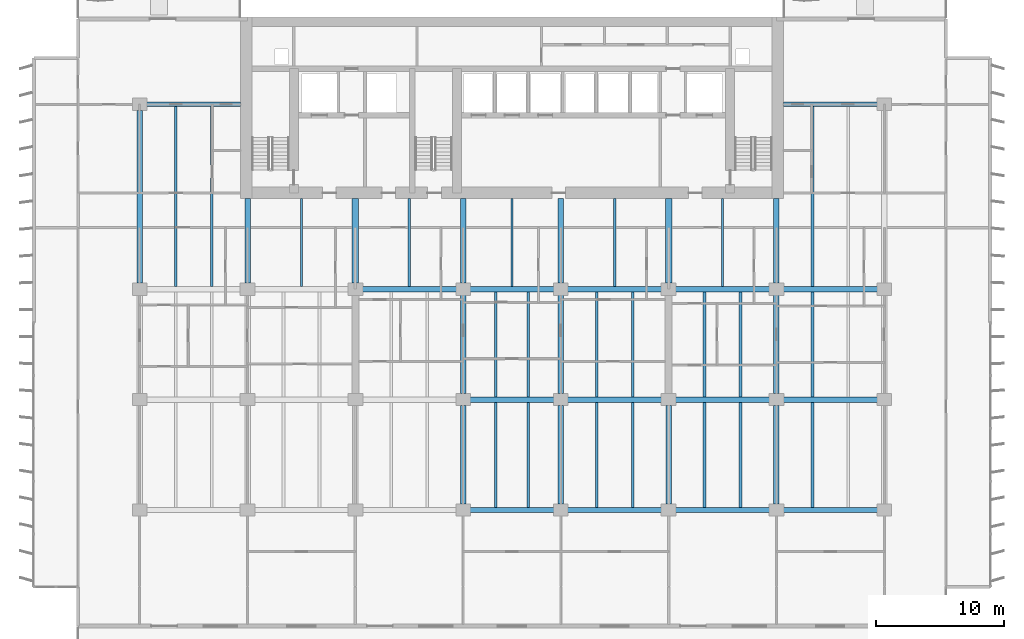
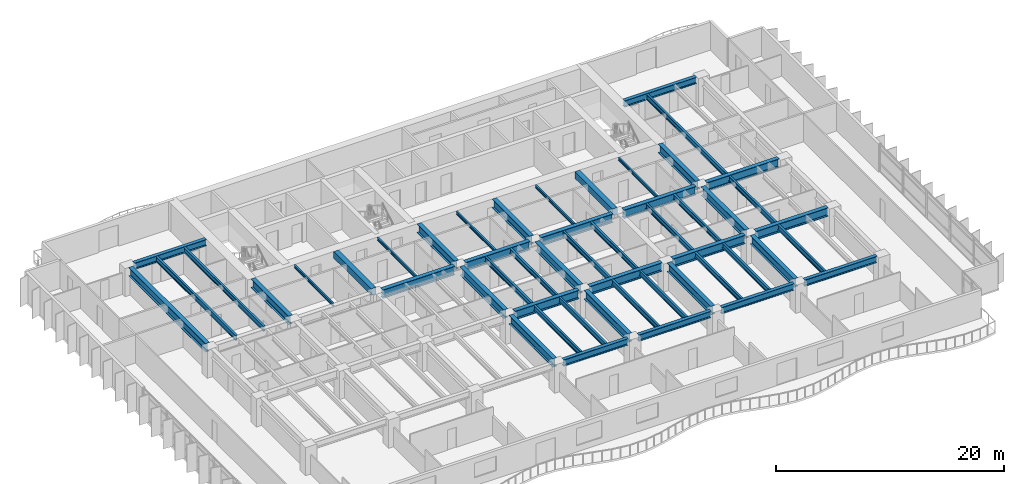
# One storey, part 3 of 15: 51 beams.
"""IFC4 building model written with IfcOpenShell, lengths in metres."""

from ifc_helpers import new_model, si_unit, direction, frame, origin, origin_2d, place, context, subcontext, project, spatial, rectangle, i_section, extrude, material, material_profile, profile_set, type_object, element, save


model = new_model("IFC4")

# Units and contexts
model_context = context("Model", 3, precision=1e-05, world=origin(), true_north=direction((0.0, 1.0)))
body_context = subcontext(model_context, "Body", "Model", "MODEL_VIEW")
ifc_project = project(units=[si_unit("LENGTHUNIT", "METRE"), si_unit("AREAUNIT", "SQUARE_METRE"), si_unit("VOLUMEUNIT", "CUBIC_METRE"), si_unit("PLANEANGLEUNIT", "RADIAN"), si_unit("MASSUNIT", "GRAM", prefix="KILO")], contexts=[model_context])

# Site, building, storey
site_placement = place(None, origin())
site = spatial("IfcSite", under=ifc_project, at=site_placement, CompositionType="ELEMENT")
building_placement = place(site_placement, origin())
building = spatial("IfcBuilding", under=site, at=building_placement, Name="Caelmar Bay Residences", CompositionType="ELEMENT")
storey_placement = place(building_placement, frame((0.0, 0.0, 76.199951171875)))
storey = spatial("IfcBuildingStorey", under=building, at=storey_placement, Name="L20", CompositionType="ELEMENT", Elevation=76.199951171875)

# Beams
ifc_material_1 = material(Name="Steel ASTM A992 Grade 50", Category="steel")
ifc_material_profile_1 = material_profile(ifc_material_1, i_section(OverallWidth=0.422119140625, OverallDepth=0.925048828125, WebThickness=0.021240234375, FlangeThickness=0.03662109375, FilletRadius=0.020263671875, at=origin_2d()), Name="W36X262")
ifc_profile_set_1 = profile_set([ifc_material_profile_1], Name="Steel ASTM A992 Grade 50")
beam_type_1 = type_object("IfcBeamType", Name="BM-GRD-W36X262", PredefinedType="BEAM", material=ifc_profile_set_1)
beam_1_placement = place(storey_placement, frame((35.639892578125, 20.800048828125, 2.53759765625), z_axis=(1.0, 0.0, 0.0), x_axis=(0.0, 1.0, 0.0)))
element("IfcBeam", 1, at=beam_1_placement, inside=storey, type_object=beam_type_1, Name="L20 East-West Girder Y=20.80 (35.1-42.7)", PredefinedType="BEAM", context=body_context, shape_type="SweptSolid", body=[
    extrude(i_section(OverallWidth=0.422119140625, OverallDepth=0.925048828125, WebThickness=0.021240234375, FlangeThickness=0.03662109375, FilletRadius=0.020263671875, at=origin_2d()), origin(), (0.0, 0.0, 1.0), 6.52001953125),
])
for number, where, z_axis, x_axis, name in (
    (2, (43.239990234375, 20.800048828125, 2.53759765625), (1.0, 0.0, 0.0), (0.0, 1.0, 0.0), "L20 East-West Girder Y=20.80 (42.7-51.1)"),
    (3, (51.639892578125, 20.800048828125, 2.53759765625), (1.0, 0.0, 0.0), (0.0, 1.0, 0.0), "L20 East-West Girder Y=20.80 (51.1-59.5)"),
    (4, (60.0400390625, 20.800048828125, 2.53759765625), (1.0, 0.0, 0.0), (0.0, 1.0, 0.0), "L20 East-West Girder Y=20.80 (59.5-67.9)"),
    (5, (27.239990234375, 29.39990234375, 2.53759765625), (1.0, 0.0, 0.0), (0.0, 1.0, 0.0), "L20 East-West Girder Y=29.40 (26.7-35.1)"),
):
    element("IfcBeam", number, at=place(storey_placement, frame(where, z_axis=z_axis, x_axis=x_axis)), inside=storey, type_object=beam_type_1, Name=name, PredefinedType="BEAM", context=body_context, shape_type="SweptSolid", body=[
        extrude(i_section(OverallWidth=0.422119140625, OverallDepth=0.925048828125, WebThickness=0.021240234375, FlangeThickness=0.03662109375, FilletRadius=0.020263671875, at=origin_2d()), origin(), (0.0, 0.0, 1.0), 7.320068359375),
    ])
beam_2_placement = place(storey_placement, frame((35.639892578125, 29.39990234375, 2.53759765625), z_axis=(1.0, 0.0, 0.0), x_axis=(0.0, 1.0, 0.0)))
element("IfcBeam", 6, at=beam_2_placement, inside=storey, type_object=beam_type_1, Name="L20 East-West Girder Y=29.40 (35.1-42.7)", PredefinedType="BEAM", context=body_context, shape_type="SweptSolid", body=[
    extrude(i_section(OverallWidth=0.422119140625, OverallDepth=0.925048828125, WebThickness=0.021240234375, FlangeThickness=0.03662109375, FilletRadius=0.020263671875, at=origin_2d()), origin(), (0.0, 0.0, 1.0), 6.52001953125),
])
for number, where, z_axis, x_axis, name in (
    (7, (43.239990234375, 29.39990234375, 2.53759765625), (1.0, 0.0, 0.0), (0.0, 1.0, 0.0), "L20 East-West Girder Y=29.40 (42.7-51.1)"),
    (8, (51.639892578125, 29.39990234375, 2.53759765625), (1.0, 0.0, 0.0), (0.0, 1.0, 0.0), "L20 East-West Girder Y=29.40 (51.1-59.5)"),
    (9, (60.0400390625, 29.39990234375, 2.53759765625), (1.0, 0.0, 0.0), (0.0, 1.0, 0.0), "L20 East-West Girder Y=29.40 (59.5-67.9)"),
):
    element("IfcBeam", number, at=place(storey_placement, frame(where, z_axis=z_axis, x_axis=x_axis)), inside=storey, type_object=beam_type_1, Name=name, PredefinedType="BEAM", context=body_context, shape_type="SweptSolid", body=[
        extrude(i_section(OverallWidth=0.422119140625, OverallDepth=0.925048828125, WebThickness=0.021240234375, FlangeThickness=0.03662109375, FilletRadius=0.020263671875, at=origin_2d()), origin(), (0.0, 0.0, 1.0), 7.320068359375),
    ])
beam_3_placement = place(storey_placement, frame((9.89990234375, 29.864990234375, 2.53759765625), z_axis=(0.0, 1.0, 0.0), x_axis=(-1.0, 0.0, 0.0)))
element("IfcBeam", 10, at=beam_3_placement, inside=storey, type_object=beam_type_1, Name="L20 North-South Girder X=9.90 (29.4-43.8)", PredefinedType="BEAM", context=body_context, shape_type="SweptSolid", body=[
    extrude(i_section(OverallWidth=0.422119140625, OverallDepth=0.925048828125, WebThickness=0.021240234375, FlangeThickness=0.03662109375, FilletRadius=0.020263671875, at=origin_2d()), origin(), (0.0, 0.0, 1.0), 13.469970703125),
])
for number, where, z_axis, x_axis, name in (
    (11, (18.300048828125, 29.864990234375, 2.53759765625), (0.0, 1.0, 0.0), (-1.0, 0.0, 0.0), "L20 Core Tie Girder X=18.30"),
    (12, (35.10009765625, 29.864990234375, 2.53759765625), (0.0, 1.0, 0.0), (-1.0, 0.0, 0.0), "L20 Core Tie Girder X=35.10"),
):
    element("IfcBeam", number, at=place(storey_placement, frame(where, z_axis=z_axis, x_axis=x_axis)), inside=storey, type_object=beam_type_1, Name=name, PredefinedType="BEAM", context=body_context, shape_type="SweptSolid", body=[
        extrude(i_section(OverallWidth=0.422119140625, OverallDepth=0.925048828125, WebThickness=0.021240234375, FlangeThickness=0.03662109375, FilletRadius=0.020263671875, at=origin_2d()), origin(), (0.0, 0.0, 1.0), 6.5849609375),
    ])
beam_4_placement = place(storey_placement, frame((35.10009765625, 12.6650390625, 2.53759765625), z_axis=(0.0, 1.0, 0.0), x_axis=(-1.0, 0.0, 0.0)))
element("IfcBeam", 13, at=beam_4_placement, inside=storey, type_object=beam_type_1, Name="L20 North-South Girder X=35.10 (12.2-20.8)", PredefinedType="BEAM", context=body_context, shape_type="SweptSolid", body=[
    extrude(i_section(OverallWidth=0.422119140625, OverallDepth=0.925048828125, WebThickness=0.021240234375, FlangeThickness=0.03662109375, FilletRadius=0.020263671875, at=origin_2d()), origin(), (0.0, 0.0, 1.0), 7.669921875),
])
beam_5_placement = place(storey_placement, frame((35.10009765625, 21.264892578125, 2.53759765625), z_axis=(0.0, 1.0, 0.0), x_axis=(-1.0, 0.0, 0.0)))
element("IfcBeam", 14, at=beam_5_placement, inside=storey, type_object=beam_type_1, Name="L20 North-South Girder X=35.10 (20.8-29.4)", PredefinedType="BEAM", context=body_context, shape_type="SweptSolid", body=[
    extrude(i_section(OverallWidth=0.422119140625, OverallDepth=0.925048828125, WebThickness=0.021240234375, FlangeThickness=0.03662109375, FilletRadius=0.020263671875, at=origin_2d()), origin(), (0.0, 0.0, 1.0), 7.670166015625),
])
beam_6_placement = place(storey_placement, frame((42.699951171875, 29.864990234375, 2.53759765625), z_axis=(0.0, 1.0, 0.0), x_axis=(-1.0, 0.0, 0.0)))
element("IfcBeam", 15, at=beam_6_placement, inside=storey, type_object=beam_type_1, Name="L20 Core Tie Girder X=42.70", PredefinedType="BEAM", context=body_context, shape_type="SweptSolid", body=[
    extrude(i_section(OverallWidth=0.422119140625, OverallDepth=0.925048828125, WebThickness=0.021240234375, FlangeThickness=0.03662109375, FilletRadius=0.020263671875, at=origin_2d()), origin(), (0.0, 0.0, 1.0), 6.5849609375),
])
beam_7_placement = place(storey_placement, frame((42.699951171875, 12.6650390625, 2.53759765625), z_axis=(0.0, 1.0, 0.0), x_axis=(-1.0, 0.0, 0.0)))
element("IfcBeam", 16, at=beam_7_placement, inside=storey, type_object=beam_type_1, Name="L20 North-South Girder X=42.70 (12.2-20.8)", PredefinedType="BEAM", context=body_context, shape_type="SweptSolid", body=[
    extrude(i_section(OverallWidth=0.422119140625, OverallDepth=0.925048828125, WebThickness=0.021240234375, FlangeThickness=0.03662109375, FilletRadius=0.020263671875, at=origin_2d()), origin(), (0.0, 0.0, 1.0), 7.669921875),
])
beam_8_placement = place(storey_placement, frame((42.699951171875, 21.264892578125, 2.53759765625), z_axis=(0.0, 1.0, 0.0), x_axis=(-1.0, 0.0, 0.0)))
element("IfcBeam", 17, at=beam_8_placement, inside=storey, type_object=beam_type_1, Name="L20 North-South Girder X=42.70 (20.8-29.4)", PredefinedType="BEAM", context=body_context, shape_type="SweptSolid", body=[
    extrude(i_section(OverallWidth=0.422119140625, OverallDepth=0.925048828125, WebThickness=0.021240234375, FlangeThickness=0.03662109375, FilletRadius=0.020263671875, at=origin_2d()), origin(), (0.0, 0.0, 1.0), 7.670166015625),
])
beam_9_placement = place(storey_placement, frame((51.10009765625, 12.6650390625, 2.53759765625), z_axis=(0.0, 1.0, 0.0), x_axis=(-1.0, 0.0, 0.0)))
element("IfcBeam", 18, at=beam_9_placement, inside=storey, type_object=beam_type_1, Name="L20 North-South Girder X=51.10 (12.2-20.8)", PredefinedType="BEAM", context=body_context, shape_type="SweptSolid", body=[
    extrude(i_section(OverallWidth=0.422119140625, OverallDepth=0.925048828125, WebThickness=0.021240234375, FlangeThickness=0.03662109375, FilletRadius=0.020263671875, at=origin_2d()), origin(), (0.0, 0.0, 1.0), 7.669921875),
])
beam_10_placement = place(storey_placement, frame((59.5, 29.864990234375, 2.53759765625), z_axis=(0.0, 1.0, 0.0), x_axis=(-1.0, 0.0, 0.0)))
element("IfcBeam", 19, at=beam_10_placement, inside=storey, type_object=beam_type_1, Name="L20 Core Tie Girder X=59.50", PredefinedType="BEAM", context=body_context, shape_type="SweptSolid", body=[
    extrude(i_section(OverallWidth=0.422119140625, OverallDepth=0.925048828125, WebThickness=0.021240234375, FlangeThickness=0.03662109375, FilletRadius=0.020263671875, at=origin_2d()), origin(), (0.0, 0.0, 1.0), 6.5849609375),
])
beam_11_placement = place(storey_placement, frame((59.5, 12.6650390625, 2.53759765625), z_axis=(0.0, 1.0, 0.0), x_axis=(-1.0, 0.0, 0.0)))
element("IfcBeam", 20, at=beam_11_placement, inside=storey, type_object=beam_type_1, Name="L20 North-South Girder X=59.50 (12.2-20.8)", PredefinedType="BEAM", context=body_context, shape_type="SweptSolid", body=[
    extrude(i_section(OverallWidth=0.422119140625, OverallDepth=0.925048828125, WebThickness=0.021240234375, FlangeThickness=0.03662109375, FilletRadius=0.020263671875, at=origin_2d()), origin(), (0.0, 0.0, 1.0), 7.669921875),
])
beam_12_placement = place(storey_placement, frame((59.5, 21.264892578125, 2.53759765625), z_axis=(0.0, 1.0, 0.0), x_axis=(-1.0, 0.0, 0.0)))
element("IfcBeam", 21, at=beam_12_placement, inside=storey, type_object=beam_type_1, Name="L20 North-South Girder X=59.50 (20.8-29.4)", PredefinedType="BEAM", context=body_context, shape_type="SweptSolid", body=[
    extrude(i_section(OverallWidth=0.422119140625, OverallDepth=0.925048828125, WebThickness=0.021240234375, FlangeThickness=0.03662109375, FilletRadius=0.020263671875, at=origin_2d()), origin(), (0.0, 0.0, 1.0), 7.670166015625),
])
ifc_material_profile_2 = material_profile(ifc_material_1, i_section(OverallWidth=0.1650390625, OverallDepth=0.31005859375, WebThickness=0.005859375, FlangeThickness=0.009765625, FilletRadius=0.007568359375, at=origin_2d()), Name="W12X26")
ifc_profile_set_2 = profile_set([ifc_material_profile_2], Name="Steel ASTM A992 Grade 50")
beam_type_2 = type_object("IfcBeamType", Name="BM-JST-W12X26", PredefinedType="JOIST", material=ifc_profile_set_2)
for number, where, z_axis, x_axis, name in (
    (22, (22.5, 29.611083984375, 2.844970703125), (0.0, 1.0, 0.0), (-1.0, 0.0, 0.0), "L20 Core-Band Composite Joist 29"),
    (23, (30.89990234375, 29.611083984375, 2.844970703125), (0.0, 1.0, 0.0), (-1.0, 0.0, 0.0), "L20 Core-Band Composite Joist 30"),
    (24, (38.89990234375, 29.611083984375, 2.844970703125), (0.0, 1.0, 0.0), (-1.0, 0.0, 0.0), "L20 Core-Band Composite Joist 31"),
    (25, (46.89990234375, 29.611083984375, 2.844970703125), (0.0, 1.0, 0.0), (-1.0, 0.0, 0.0), "L20 Core-Band Composite Joist 32"),
    (26, (55.300048828125, 29.611083984375, 2.844970703125), (0.0, 1.0, 0.0), (-1.0, 0.0, 0.0), "L20 Core-Band Composite Joist 33"),
):
    element("IfcBeam", number, at=place(storey_placement, frame(where, z_axis=z_axis, x_axis=x_axis)), inside=storey, type_object=beam_type_2, Name=name, PredefinedType="JOIST", context=body_context, shape_type="SweptSolid", body=[
        extrude(i_section(OverallWidth=0.1650390625, OverallDepth=0.31005859375, WebThickness=0.005859375, FlangeThickness=0.009765625, FilletRadius=0.007568359375, at=origin_2d()), origin(), (0.0, 0.0, 1.0), 6.8388671875),
    ])
ifc_material_profile_3 = material_profile(ifc_material_1, i_section(OverallWidth=0.2099609375, OverallDepth=0.535888671875, WebThickness=0.010986328125, FlangeThickness=0.017333984375, FilletRadius=0.0126953125, at=origin_2d()), Name="W21X68")
ifc_profile_set_3 = profile_set([ifc_material_profile_3], Name="Steel ASTM A992 Grade 50")
beam_type_3 = type_object("IfcBeamType", Name="BM-JST-W21X68", PredefinedType="JOIST", material=ifc_profile_set_3)
for number, where, z_axis, x_axis, name in (
    (27, (40.166748046875, 12.3779296875, 2.73193359375), (0.0, 1.0, 0.0), (-1.0, 0.0, 0.0), "L20 Composite Floor Joist 8"),
    (28, (48.300048828125, 12.3779296875, 2.73193359375), (0.0, 1.0, 0.0), (-1.0, 0.0, 0.0), "L20 Composite Floor Joist 10"),
    (29, (56.699951171875, 12.3779296875, 2.73193359375), (0.0, 1.0, 0.0), (-1.0, 0.0, 0.0), "L20 Composite Floor Joist 12"),
):
    element("IfcBeam", number, at=place(storey_placement, frame(where, z_axis=z_axis, x_axis=x_axis)), inside=storey, type_object=beam_type_3, Name=name, PredefinedType="JOIST", context=body_context, shape_type="SweptSolid", body=[
        extrude(i_section(OverallWidth=0.2099609375, OverallDepth=0.535888671875, WebThickness=0.010986328125, FlangeThickness=0.017333984375, FilletRadius=0.0126953125, at=origin_2d()), origin(), (0.0, 0.0, 1.0), 8.211181640625),
    ])
for number, where, z_axis, x_axis, name in (
    (30, (40.166748046875, 21.010986328125, 2.73193359375), (0.0, 1.0, 0.0), (-1.0, 0.0, 0.0), "L20 Composite Floor Joist 22"),
    (31, (48.300048828125, 21.010986328125, 2.73193359375), (0.0, 1.0, 0.0), (-1.0, 0.0, 0.0), "L20 Composite Floor Joist 24"),
    (32, (56.699951171875, 21.010986328125, 2.73193359375), (0.0, 1.0, 0.0), (-1.0, 0.0, 0.0), "L20 Composite Floor Joist 26"),
):
    element("IfcBeam", number, at=place(storey_placement, frame(where, z_axis=z_axis, x_axis=x_axis)), inside=storey, type_object=beam_type_3, Name=name, PredefinedType="JOIST", context=body_context, shape_type="SweptSolid", body=[
        extrude(i_section(OverallWidth=0.2099609375, OverallDepth=0.535888671875, WebThickness=0.010986328125, FlangeThickness=0.017333984375, FilletRadius=0.0126953125, at=origin_2d()), origin(), (0.0, 0.0, 1.0), 8.177978515625),
    ])
beam_13_placement = place(storey_placement, frame((15.5, 29.611083984375, 2.73193359375), z_axis=(0.0, 1.0, 0.0), x_axis=(-1.0, 0.0, 0.0)))
element("IfcBeam", 33, at=beam_13_placement, inside=storey, type_object=beam_type_3, Name="L20 Composite Floor Joist 35", PredefinedType="JOIST", context=body_context, shape_type="SweptSolid", body=[
    extrude(i_section(OverallWidth=0.2099609375, OverallDepth=0.535888671875, WebThickness=0.010986328125, FlangeThickness=0.017333984375, FilletRadius=0.0126953125, at=origin_2d()), origin(), (0.0, 0.0, 1.0), 14.010986328125),
])
ifc_material_profile_4 = material_profile(ifc_material_1, i_section(OverallWidth=0.214111328125, OverallDepth=0.549072265625, WebThickness=0.0146484375, FlangeThickness=0.023681640625, FilletRadius=0.0126953125, at=origin_2d()), Name="W21X93")
ifc_profile_set_4 = profile_set([ifc_material_profile_4], Name="Steel ASTM A992 Grade 50")
beam_type_4 = type_object("IfcBeamType", Name="BM-JST-W21X93", PredefinedType="JOIST", material=ifc_profile_set_4)
for number, where, z_axis, x_axis, name in (
    (34, (37.63330078125, 12.3779296875, 2.7255859375), (0.0, 1.0, 0.0), (-1.0, 0.0, 0.0), "L20 Composite Floor Joist 7"),
    (35, (45.5, 12.3779296875, 2.7255859375), (0.0, 1.0, 0.0), (-1.0, 0.0, 0.0), "L20 Composite Floor Joist 9"),
    (36, (53.89990234375, 12.3779296875, 2.7255859375), (0.0, 1.0, 0.0), (-1.0, 0.0, 0.0), "L20 Composite Floor Joist 11"),
    (37, (62.300048828125, 12.3779296875, 2.7255859375), (0.0, 1.0, 0.0), (-1.0, 0.0, 0.0), "L20 Composite Floor Joist 13"),
):
    element("IfcBeam", number, at=place(storey_placement, frame(where, z_axis=z_axis, x_axis=x_axis)), inside=storey, type_object=beam_type_4, Name=name, PredefinedType="JOIST", context=body_context, shape_type="SweptSolid", body=[
        extrude(i_section(OverallWidth=0.214111328125, OverallDepth=0.549072265625, WebThickness=0.0146484375, FlangeThickness=0.023681640625, FilletRadius=0.0126953125, at=origin_2d()), origin(), (0.0, 0.0, 1.0), 8.211181640625),
    ])
for number, where, z_axis, x_axis, name in (
    (38, (37.63330078125, 21.010986328125, 2.7255859375), (0.0, 1.0, 0.0), (-1.0, 0.0, 0.0), "L20 Composite Floor Joist 21"),
    (39, (45.5, 21.010986328125, 2.7255859375), (0.0, 1.0, 0.0), (-1.0, 0.0, 0.0), "L20 Composite Floor Joist 23"),
    (40, (53.89990234375, 21.010986328125, 2.7255859375), (0.0, 1.0, 0.0), (-1.0, 0.0, 0.0), "L20 Composite Floor Joist 25"),
    (41, (62.300048828125, 21.010986328125, 2.7255859375), (0.0, 1.0, 0.0), (-1.0, 0.0, 0.0), "L20 Composite Floor Joist 27"),
):
    element("IfcBeam", number, at=place(storey_placement, frame(where, z_axis=z_axis, x_axis=x_axis)), inside=storey, type_object=beam_type_4, Name=name, PredefinedType="JOIST", context=body_context, shape_type="SweptSolid", body=[
        extrude(i_section(OverallWidth=0.214111328125, OverallDepth=0.549072265625, WebThickness=0.0146484375, FlangeThickness=0.023681640625, FilletRadius=0.0126953125, at=origin_2d()), origin(), (0.0, 0.0, 1.0), 8.177978515625),
    ])
for number, where, z_axis, x_axis, name in (
    (42, (12.699951171875, 29.611083984375, 2.7255859375), (0.0, 1.0, 0.0), (-1.0, 0.0, 0.0), "L20 Composite Floor Joist 34"),
    (43, (62.300048828125, 29.611083984375, 2.7255859375), (0.0, 1.0, 0.0), (-1.0, 0.0, 0.0), "L20 Composite Floor Joist 36"),
):
    element("IfcBeam", number, at=place(storey_placement, frame(where, z_axis=z_axis, x_axis=x_axis)), inside=storey, type_object=beam_type_4, Name=name, PredefinedType="JOIST", context=body_context, shape_type="SweptSolid", body=[
        extrude(i_section(OverallWidth=0.214111328125, OverallDepth=0.549072265625, WebThickness=0.0146484375, FlangeThickness=0.023681640625, FilletRadius=0.0126953125, at=origin_2d()), origin(), (0.0, 0.0, 1.0), 14.010986328125),
    ])
ifc_material_2 = material(Name="Concrete f'c 55 MPa (8,000 psi)", Category="concrete")
ifc_material_profile_5 = material_profile(ifc_material_2, rectangle(XDim=0.5, YDim=0.699951171875, at=origin_2d()), Name="RC-BM-500X700")
ifc_profile_set_5 = profile_set([ifc_material_profile_5], Name="Concrete f'c 55 MPa (8,000 psi)")
beam_type_5 = type_object("IfcBeamType", Name="BM-RC-500X700", PredefinedType="LINTEL", material=ifc_profile_set_5)
for number, where, z_axis, x_axis, name in (
    (44, (26.699951171875, 29.864990234375, 2.650146484375), (0.0, 1.0, 0.0), (-1.0, 0.0, 0.0), "L20 Shear-Wall Corridor Coupling Lintel W5"),
    (45, (51.10009765625, 29.864990234375, 2.650146484375), (0.0, 1.0, 0.0), (-1.0, 0.0, 0.0), "L20 Shear-Wall Corridor Coupling Lintel E8"),
):
    element("IfcBeam", number, at=place(storey_placement, frame(where, z_axis=z_axis, x_axis=x_axis)), inside=storey, type_object=beam_type_5, Name=name, PredefinedType="LINTEL", context=body_context, shape_type="SweptSolid", body=[
        extrude(rectangle(XDim=0.5, YDim=0.699951171875, at=origin_2d()), origin(), (0.0, 0.0, 1.0), 6.5849609375),
    ])
ifc_material_profile_6 = material_profile(ifc_material_1, i_section(OverallWidth=0.35595703125, OverallDepth=0.696044921875, WebThickness=0.015380859375, FlangeThickness=0.02490234375, FilletRadius=0.01513671875, at=origin_2d()), Name="W27X146")
ifc_profile_set_6 = profile_set([ifc_material_profile_6], Name="Steel ASTM A992 Grade 50")
beam_type_6 = type_object("IfcBeamType", Name="BM-SPN-W27X146", PredefinedType="SPANDREL", material=ifc_profile_set_6)
beam_14_placement = place(storey_placement, frame((35.639892578125, 12.199951171875, 2.652099609375), z_axis=(1.0, 0.0, 0.0), x_axis=(0.0, 1.0, 0.0)))
element("IfcBeam", 46, at=beam_14_placement, inside=storey, type_object=beam_type_6, Name="L20 East-West Girder Y=12.20 (35.1-42.7)", PredefinedType="SPANDREL", context=body_context, shape_type="SweptSolid", body=[
    extrude(i_section(OverallWidth=0.35595703125, OverallDepth=0.696044921875, WebThickness=0.015380859375, FlangeThickness=0.02490234375, FilletRadius=0.01513671875, at=origin_2d()), origin(), (0.0, 0.0, 1.0), 6.52001953125),
])
for number, where, z_axis, x_axis, name in (
    (47, (43.239990234375, 12.199951171875, 2.652099609375), (1.0, 0.0, 0.0), (0.0, 1.0, 0.0), "L20 East-West Girder Y=12.20 (42.7-51.1)"),
    (48, (51.639892578125, 12.199951171875, 2.652099609375), (1.0, 0.0, 0.0), (0.0, 1.0, 0.0), "L20 East-West Girder Y=12.20 (51.1-59.5)"),
    (49, (60.0400390625, 12.199951171875, 2.652099609375), (1.0, 0.0, 0.0), (0.0, 1.0, 0.0), "L20 East-West Girder Y=12.20 (59.5-67.9)"),
):
    element("IfcBeam", number, at=place(storey_placement, frame(where, z_axis=z_axis, x_axis=x_axis)), inside=storey, type_object=beam_type_6, Name=name, PredefinedType="SPANDREL", context=body_context, shape_type="SweptSolid", body=[
        extrude(i_section(OverallWidth=0.35595703125, OverallDepth=0.696044921875, WebThickness=0.015380859375, FlangeThickness=0.02490234375, FilletRadius=0.01513671875, at=origin_2d()), origin(), (0.0, 0.0, 1.0), 7.320068359375),
    ])
for number, where, z_axis, x_axis, name in (
    (50, (10.43994140625, 43.800048828125, 2.652099609375), (1.0, 0.0, 0.0), (0.0, 1.0, 0.0), "L20 North-West Wing Core Tie Girder"),
    (51, (60.050048828125, 43.800048828125, 2.652099609375), (1.0, 0.0, 0.0), (0.0, 1.0, 0.0), "L20 North-East Wing Core Tie Girder"),
):
    element("IfcBeam", number, at=place(storey_placement, frame(where, z_axis=z_axis, x_axis=x_axis)), inside=storey, type_object=beam_type_6, Name=name, PredefinedType="SPANDREL", context=body_context, shape_type="SweptSolid", body=[
        extrude(i_section(OverallWidth=0.35595703125, OverallDepth=0.696044921875, WebThickness=0.015380859375, FlangeThickness=0.02490234375, FilletRadius=0.01513671875, at=origin_2d()), origin(), (0.0, 0.0, 1.0), 7.31005859375),
    ])

save(model, "model.ifc")
